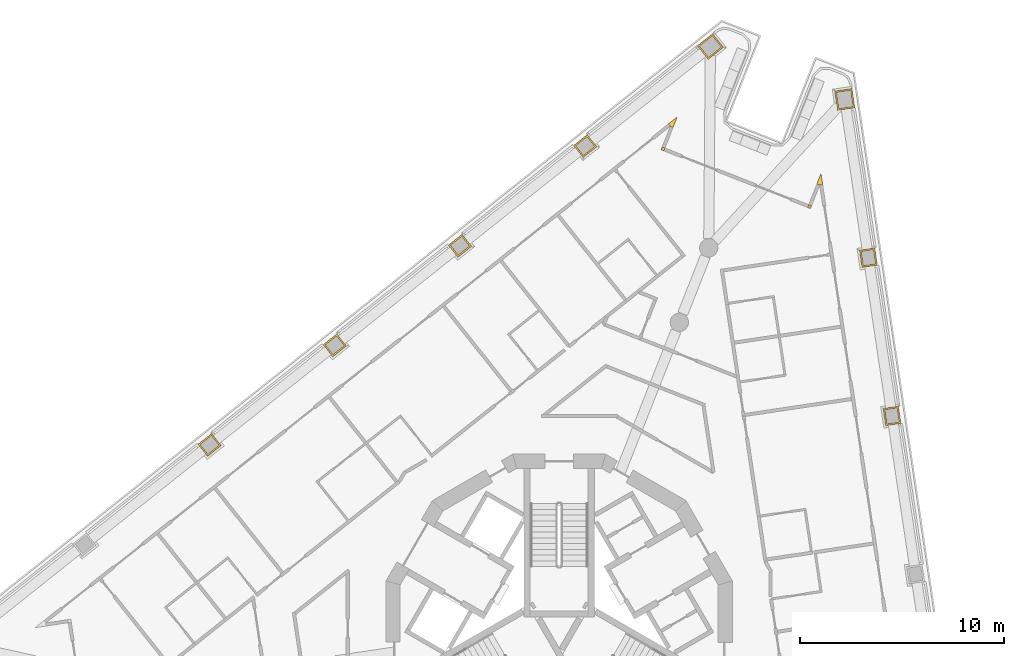
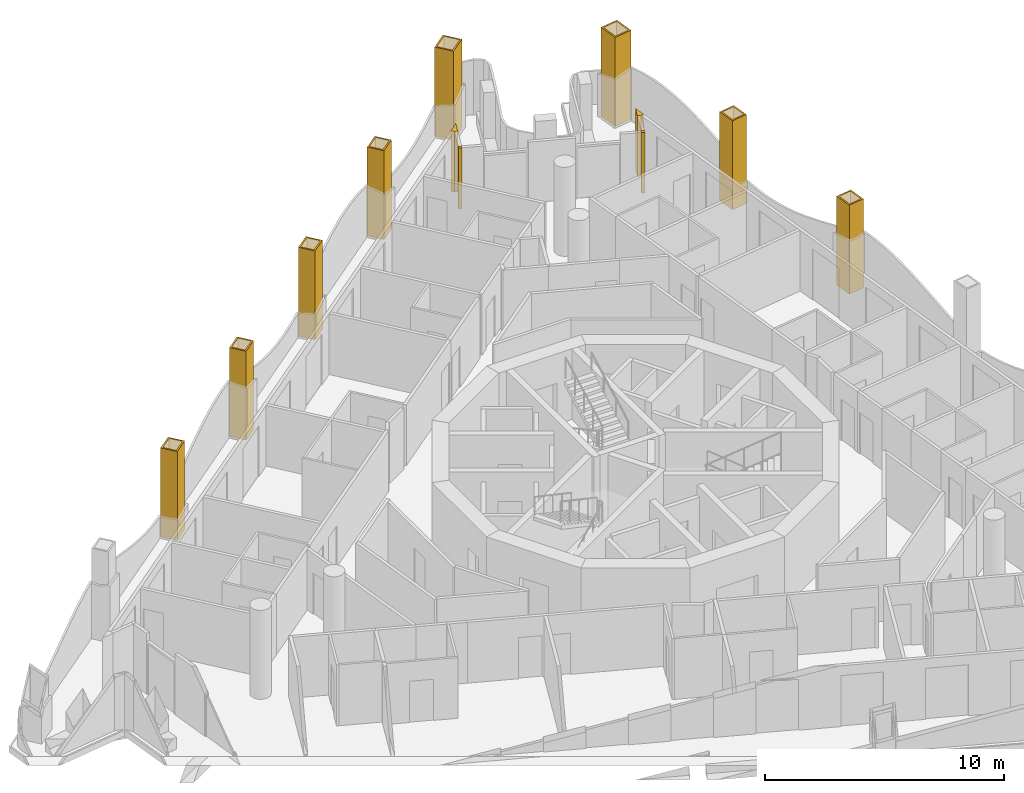
# One storey, part 15 of 16: 12 coverings.
"""IFC4 building model written with IfcOpenShell, lengths in metres."""

from ifc_helpers import new_model, si_unit, direction, frame, origin, place, context, subcontext, project, spatial, polyline, outline, extrude, material, layer, layer_set, type_object, element, save


model = new_model("IFC4")

# Units and contexts
model_context = context("Model", 3, precision=1e-05, world=origin(), true_north=direction((0.0, 1.0)))
body_context = subcontext(model_context, "Body", "Model", "MODEL_VIEW")
ifc_project = project(units=[si_unit("LENGTHUNIT", "METRE"), si_unit("AREAUNIT", "SQUARE_METRE"), si_unit("VOLUMEUNIT", "CUBIC_METRE"), si_unit("PLANEANGLEUNIT", "RADIAN"), si_unit("MASSUNIT", "GRAM", prefix="KILO")], contexts=[model_context])

# Site, building, storey
site_placement = place(None, origin())
site = spatial("IfcSite", under=ifc_project, at=site_placement, CompositionType="ELEMENT")
building_placement = place(site_placement, origin())
building = spatial("IfcBuilding", under=site, at=building_placement, Name="Trine Commons Tower", CompositionType="ELEMENT")
storey_placement = place(building_placement, frame((0.0, 0.0, 226.800048828125)))
storey = spatial("IfcBuildingStorey", under=building, at=storey_placement, Name="L59", CompositionType="ELEMENT", Elevation=226.800048828125)

# Coverings
ifc_material_1 = material(Name="Aluminium-framed insulated wall panel", Category="aluminium")
ifc_layer_1 = layer(ifc_material_1, 0.14990234375)
ifc_layer_set_1 = layer_set([ifc_layer_1], Name="Aluminium-framed insulated wall panel")
covering_type_1 = type_object("IfcCoveringType", Name="Glazing corner post, aluminium", PredefinedType="CLADDING", material=ifc_layer_set_1)
covering_1_placement = place(storey_placement, origin())
element("IfcCovering", 1, at=covering_1_placement, inside=storey, type_object=covering_type_1, Name="Glazing corner post 6-02", PredefinedType="CLADDING", context=body_context, shape_type="SweptSolid", body=[
    extrude(outline(polyline([(85.451416015625, 87.089599609375), (85.451416015625, 87.089599609375), (85.591064453125, 87.03466796875), (85.796142578125, 87.5556640625), (85.358154296875, 87.20703125), (85.451416015625, 87.089599609375)])), origin(), (0.0, 0.0, 1.0), 3.099853515625),
])
covering_2_placement = place(storey_placement, origin())
element("IfcCovering", 2, at=covering_2_placement, inside=storey, type_object=covering_type_1, Name="Glazing corner post 6-03", PredefinedType="CLADDING", context=body_context, shape_type="SweptSolid", body=[
    extrude(outline(polyline([(85.13818359375, 85.885009765625), (85.193115234375, 86.0244140625), (85.0537109375, 86.07958984375), (84.99853515625, 85.93994140625), (85.13818359375, 85.885009765625)])), origin(), (0.0, 0.0, 1.0), 3.099853515625),
])
covering_3_placement = place(storey_placement, origin())
element("IfcCovering", 3, at=covering_3_placement, inside=storey, type_object=covering_type_1, Name="Glazing corner post 6-04", PredefinedType="CLADDING", context=body_context, shape_type="SweptSolid", body=[
    extrude(outline(polyline([(92.190673828125, 83.10693359375), (92.330322265625, 83.052001953125), (92.38525390625, 83.19140625), (92.24560546875, 83.246337890625), (92.190673828125, 83.10693359375)])), origin(), (0.0, 0.0, 1.0), 3.099853515625),
])
covering_4_placement = place(storey_placement, origin())
element("IfcCovering", 4, at=covering_4_placement, inside=storey, type_object=covering_type_1, Name="Glazing corner post 6-05", PredefinedType="CLADDING", context=body_context, shape_type="SweptSolid", body=[
    extrude(outline(polyline([(92.6435546875, 84.256591796875), (92.783203125, 84.20166015625), (92.931396484375, 84.223876953125), (92.848876953125, 84.777587890625), (92.6435546875, 84.256591796875)])), origin(), (0.0, 0.0, 1.0), 3.099853515625),
])
ifc_material_2 = material(Name="Limestone, honed", Category="masonry")
ifc_layer_2 = layer(ifc_material_2, 0.074951171875)
ifc_layer_set_2 = layer_set([ifc_layer_2], Name="Limestone, honed")
covering_type_2 = type_object("IfcCoveringType", Name="Limestone column cladding 75", PredefinedType="CLADDING", material=ifc_layer_set_2)
covering_5_placement = place(storey_placement, origin())
element("IfcCovering", 5, at=covering_5_placement, inside=storey, type_object=covering_type_2, Name="Limestone pier cladding 6-10", PredefinedType="CLADDING", context=body_context, shape_type="SweptSolid", body=[
    extrude(outline(polyline([(63.40966796875, 71.4287109375), (62.942626953125, 72.015625), (62.27734375, 71.486572265625), (62.744384765625, 70.899658203125), (63.40966796875, 71.4287109375)]), holes=[polyline([(63.30419921875, 71.440673828125), (62.9306640625, 71.910400390625), (62.3828125, 71.474609375), (62.75634765625, 71.0048828125), (63.30419921875, 71.440673828125)])]), origin(), (0.0, 0.0, 1.0), 4.53662109375),
])
covering_6_placement = place(storey_placement, origin())
element("IfcCovering", 6, at=covering_6_placement, inside=storey, type_object=covering_type_2, Name="Limestone pier cladding 6-11", PredefinedType="CLADDING", context=body_context, shape_type="SweptSolid", body=[
    extrude(outline(polyline([(69.553466796875, 76.31591796875), (69.086669921875, 76.902587890625), (68.42138671875, 76.37353515625), (68.88818359375, 75.78662109375), (69.553466796875, 76.31591796875)]), holes=[polyline([(69.447998046875, 76.327880859375), (69.07470703125, 76.79736328125), (68.526611328125, 76.361572265625), (68.900146484375, 75.89208984375), (69.447998046875, 76.327880859375)])]), origin(), (0.0, 0.0, 1.0), 4.53662109375),
])
covering_7_placement = place(storey_placement, origin())
element("IfcCovering", 7, at=covering_7_placement, inside=storey, type_object=covering_type_2, Name="Limestone pier cladding 6-12", PredefinedType="CLADDING", context=body_context, shape_type="SweptSolid", body=[
    extrude(outline(polyline([(75.697509765625, 81.202880859375), (75.230712890625, 81.789794921875), (74.565185546875, 81.2607421875), (75.0322265625, 80.673828125), (75.697509765625, 81.202880859375)]), holes=[polyline([(75.592041015625, 81.21484375), (75.218505859375, 81.6845703125), (74.670654296875, 81.248779296875), (75.044189453125, 80.779052734375), (75.592041015625, 81.21484375)])]), origin(), (0.0, 0.0, 1.0), 4.53662109375),
])
covering_8_placement = place(storey_placement, origin())
element("IfcCovering", 8, at=covering_8_placement, inside=storey, type_object=covering_type_2, Name="Limestone pier cladding 6-13", PredefinedType="CLADDING", context=body_context, shape_type="SweptSolid", body=[
    extrude(outline(polyline([(81.84130859375, 86.090087890625), (81.37451171875, 86.677001953125), (80.709228515625, 86.147705078125), (81.176025390625, 85.560791015625), (81.84130859375, 86.090087890625)]), holes=[polyline([(81.736083984375, 86.10205078125), (81.362548828125, 86.571533203125), (80.814697265625, 86.1357421875), (81.18798828125, 85.666259765625), (81.736083984375, 86.10205078125)])]), origin(), (0.0, 0.0, 1.0), 4.53662109375),
])
covering_9_placement = place(storey_placement, origin())
element("IfcCovering", 9, at=covering_9_placement, inside=storey, type_object=covering_type_2, Name="Limestone pier cladding 6-14", PredefinedType="CLADDING", context=body_context, shape_type="SweptSolid", body=[
    extrude(outline(polyline([(88.0556640625, 90.968994140625), (87.526611328125, 91.63427734375), (86.782958984375, 91.04296875), (87.31201171875, 90.377685546875), (88.0556640625, 90.968994140625)]), holes=[polyline([(87.9501953125, 90.981201171875), (87.514404296875, 91.52880859375), (86.888427734375, 91.031005859375), (87.32421875, 90.483154296875), (87.9501953125, 90.981201171875)])]), origin(), (0.0, 0.0, 1.0), 4.53662109375),
])
covering_10_placement = place(storey_placement, origin())
element("IfcCovering", 10, at=covering_10_placement, inside=storey, type_object=covering_type_2, Name="Limestone pier cladding 6-15", PredefinedType="CLADDING", context=body_context, shape_type="SweptSolid", body=[
    extrude(outline(polyline([(94.364990234375, 88.9404296875), (93.5244140625, 88.81494140625), (93.664794921875, 87.875244140625), (94.505615234375, 88.0009765625), (94.364990234375, 88.9404296875)]), holes=[polyline([(94.302001953125, 88.855224609375), (93.609619140625, 88.751708984375), (93.72802734375, 87.960693359375), (94.42041015625, 88.06396484375), (94.302001953125, 88.855224609375)])]), origin(), (0.0, 0.0, 1.0), 4.53662109375),
])
covering_11_placement = place(storey_placement, origin())
element("IfcCovering", 11, at=covering_11_placement, inside=storey, type_object=covering_type_2, Name="Limestone pier cladding 6-16", PredefinedType="CLADDING", context=body_context, shape_type="SweptSolid", body=[
    extrude(outline(polyline([(95.4833984375, 81.119384765625), (94.74169921875, 81.00830078125), (94.8671875, 80.167724609375), (95.609130859375, 80.278564453125), (95.4833984375, 81.119384765625)]), holes=[polyline([(95.42041015625, 81.033935546875), (94.826904296875, 80.9453125), (94.930419921875, 80.2529296875), (95.523681640625, 80.341796875), (95.42041015625, 81.033935546875)])]), origin(), (0.0, 0.0, 1.0), 4.53662109375),
])
covering_12_placement = place(storey_placement, origin())
element("IfcCovering", 12, at=covering_12_placement, inside=storey, type_object=covering_type_2, Name="Limestone pier cladding 6-17", PredefinedType="CLADDING", context=body_context, shape_type="SweptSolid", body=[
    extrude(outline(polyline([(96.643798828125, 73.35498046875), (95.902099609375, 73.244140625), (96.027587890625, 72.4033203125), (96.769287109375, 72.514404296875), (96.643798828125, 73.35498046875)]), holes=[polyline([(96.580810546875, 73.269775390625), (95.9873046875, 73.180908203125), (96.0908203125, 72.48876953125), (96.68408203125, 72.577392578125), (96.580810546875, 73.269775390625)])]), origin(), (0.0, 0.0, 1.0), 4.53662109375),
])

save(model, "model.ifc")
